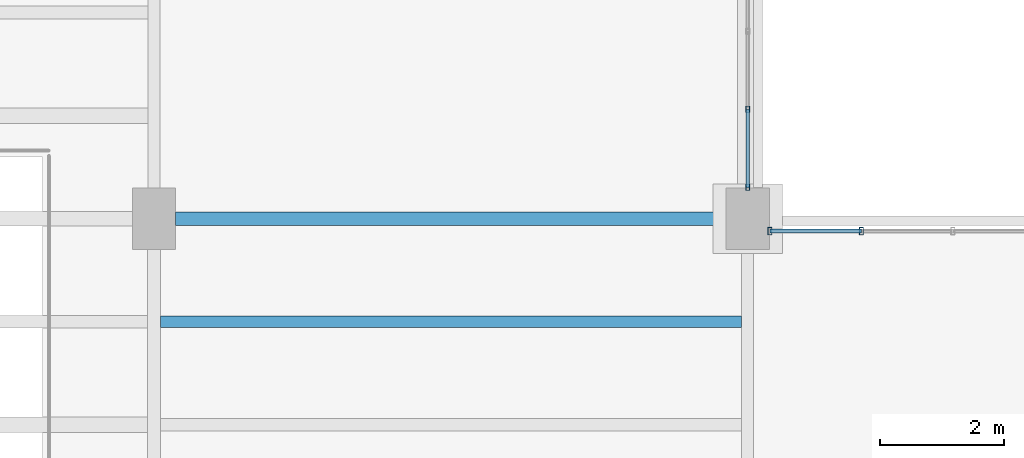
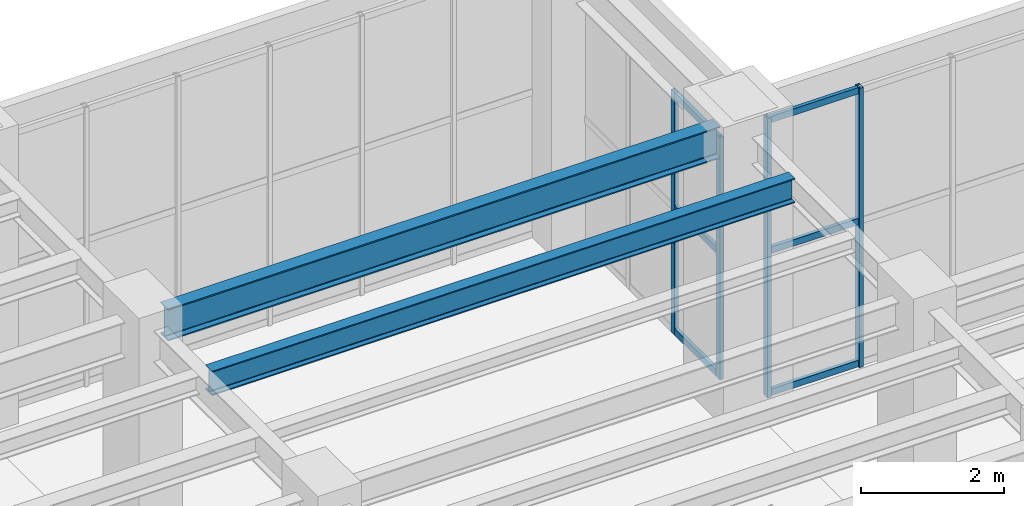
# One storey, part 119 of 174: 10 members, 2 beams, 2 elements without a shape of their own.
"""IFC4 building model written with IfcOpenShell, lengths in metres."""

from ifc_helpers import new_model, si_unit, direction, frame, origin, origin_2d, place, context, subcontext, project, spatial, hollow_rectangle, i_section, extrude, material, material_profile, profile_set, type_object, element, aggregate, save


model = new_model("IFC4")

# Units and contexts
model_context = context("Model", 3, precision=1e-05, world=origin(), true_north=direction((0.0, 1.0)))
body_context = subcontext(model_context, "Body", "Model", "MODEL_VIEW")
ifc_project = project(units=[si_unit("LENGTHUNIT", "METRE"), si_unit("AREAUNIT", "SQUARE_METRE"), si_unit("VOLUMEUNIT", "CUBIC_METRE"), si_unit("PLANEANGLEUNIT", "RADIAN"), si_unit("MASSUNIT", "GRAM", prefix="KILO")], contexts=[model_context])

# Site, building, storey
site_placement = place(None, origin())
site = spatial("IfcSite", under=ifc_project, at=site_placement, CompositionType="ELEMENT")
building_placement = place(site_placement, origin())
building = spatial("IfcBuilding", under=site, at=building_placement, Name="Mavantir Sound Aquarium", CompositionType="ELEMENT")
storey_placement = place(building_placement, frame((0.0, 0.0, 5.39990234375)))
storey = spatial("IfcBuildingStorey", under=building, at=storey_placement, Name="L01", CompositionType="ELEMENT", Elevation=5.39990234375)

# Beams
ifc_material_1 = material(Name="Structural Steel ASTM A992 Gr50", Category="steel")
ifc_material_profile_1 = material_profile(ifc_material_1, i_section(OverallWidth=0.180908203125, OverallDepth=0.4169921875, WebThickness=0.010986328125, FlangeThickness=0.018310546875, FilletRadius=0.014892578125, at=origin_2d()), Name="W410X85")
ifc_profile_set_1 = profile_set([ifc_material_profile_1], Name="Structural Steel ASTM A992 Gr50")
beam_type_1 = type_object("IfcBeamType", Name="BM-W410X85-I", PredefinedType="JOIST", material=ifc_profile_set_1)
beam_1_placement = place(storey_placement, frame((156.10595703125, 64.13330078125, 4.59765625), z_axis=(1.0, 0.0, 0.0), x_axis=(0.0, 1.0, 0.0)))
element("IfcBeam", 1, at=beam_1_placement, inside=storey, type_object=beam_type_1, Name="L01 secondary floor joist SJ-41 781", PredefinedType="JOIST", context=body_context, shape_type="SweptSolid", body=[
    extrude(i_section(OverallWidth=0.180908203125, OverallDepth=0.4169921875, WebThickness=0.010986328125, FlangeThickness=0.018310546875, FilletRadius=0.014892578125, at=origin_2d()), origin(), (0.0, 0.0, 1.0), 9.39697265625),
])
ifc_material_profile_2 = material_profile(ifc_material_1, i_section(OverallWidth=0.2119140625, OverallDepth=0.5439453125, WebThickness=0.01318359375, FlangeThickness=0.021240234375, FilletRadius=0.01806640625, at=origin_2d()), Name="W530X123")
ifc_profile_set_2 = profile_set([ifc_material_profile_2], Name="Structural Steel ASTM A992 Gr50")
beam_type_2 = type_object("IfcBeamType", Name="BM-W530X123-I", PredefinedType="BEAM", material=ifc_profile_set_2)
beam_2_placement = place(storey_placement, frame((156.35009765625, 65.800048828125, 4.504150390625), z_axis=(1.0, 0.0, 0.0), x_axis=(0.0, 1.0, 0.0)))
element("IfcBeam", 2, at=beam_2_placement, inside=storey, type_object=beam_type_2, Name="L01 primary beam SB-53 1270", PredefinedType="BEAM", context=body_context, shape_type="SweptSolid", body=[
    extrude(i_section(OverallWidth=0.2119140625, OverallDepth=0.5439453125, WebThickness=0.01318359375, FlangeThickness=0.021240234375, FilletRadius=0.01806640625, at=origin_2d()), origin(), (0.0, 0.0, 1.0), 8.89990234375),
])

# Curtain wall, members
ifc_material_2 = material(Name="Anodised Marine Aluminium and Low-E Glass", Category="aluminium")
curtain_wall_type_1 = type_object("IfcCurtainWallType", Name="CW-T13", PredefinedType="USERDEFINED", material=ifc_material_2)
curtain_wall_1_placement = place(storey_placement, origin())
curtain_wall_1 = element("IfcCurtainWall", 3, at=curtain_wall_1_placement, inside=storey, type_object=curtain_wall_type_1, Name="L01 unitised curtain wall CW-13 109", ObjectType="UNITISED GLAZING", PredefinedType="USERDEFINED")
ifc_material_3 = material(Name="Anodised Marine Aluminium 6063-T6", Category="aluminium")
ifc_material_profile_3 = material_profile(ifc_material_3, hollow_rectangle(XDim=0.06005859375, YDim=0.10009765625, WallThickness=0.00390625, at=origin_2d()), Name="ALU-MULLION-100X60")
ifc_profile_set_3 = profile_set([ifc_material_profile_3], Name="Anodised Marine Aluminium 6063-T6")
member_type_1 = type_object("IfcMemberType", Name="CW-MUL-100", PredefinedType="MULLION", material=ifc_profile_set_3)
member_1_placement = place(storey_placement, frame((165.60009765625, 66.30810546875, 0.0), z_axis=(0.0, 0.0, 1.0), x_axis=(1.0, 0.0, 0.0)))
member_1 = element("IfcMember", 4, at=member_1_placement, type_object=member_type_1, Name="CW-L01-109 vertical mullion 1", PredefinedType="MULLION", context=body_context, shape_type="SweptSolid", body=[
    extrude(hollow_rectangle(XDim=0.06005859375, YDim=0.10009765625, WallThickness=0.00390625, at=origin_2d()), origin(), (0.0, 0.0, 1.0), 4.135009765625),
])
member_2_placement = place(storey_placement, frame((165.60009765625, 67.5693359375, 0.0), z_axis=(0.0, 0.0, 1.0), x_axis=(1.0, 0.0, 0.0)))
member_2 = element("IfcMember", 5, at=member_2_placement, type_object=member_type_1, Name="CW-L01-109 vertical mullion 2", PredefinedType="MULLION", context=body_context, shape_type="SweptSolid", body=[
    extrude(hollow_rectangle(XDim=0.06005859375, YDim=0.10009765625, WallThickness=0.00390625, at=origin_2d()), origin(), (0.0, 0.0, 1.0), 4.135009765625),
])

curtain_wall_type_2 = type_object("IfcCurtainWallType", Name="CW-T12", PredefinedType="USERDEFINED", material=ifc_material_2)
curtain_wall_2_placement = place(storey_placement, origin())
curtain_wall_2 = element("IfcCurtainWall", 6, at=curtain_wall_2_placement, inside=storey, type_object=curtain_wall_type_2, Name="L01 unitised curtain wall CW-12 108", ObjectType="UNITISED GLAZING", PredefinedType="USERDEFINED")
ifc_material_profile_4 = material_profile(ifc_material_3, hollow_rectangle(XDim=0.06494140625, YDim=0.1201171875, WallThickness=0.00390625, at=origin_2d()), Name="ALU-MULLION-120X65")
ifc_profile_set_4 = profile_set([ifc_material_profile_4], Name="Anodised Marine Aluminium 6063-T6")
member_type_2 = type_object("IfcMemberType", Name="CW-MUL-120", PredefinedType="MULLION", material=ifc_profile_set_4)
member_3_placement = place(storey_placement, frame((167.438720703125, 65.60009765625, 0.0), z_axis=(0.0, 0.0, 1.0), x_axis=(1.0, 0.0, 0.0)))
member_3 = element("IfcMember", 7, at=member_3_placement, type_object=member_type_2, Name="CW-L01-108 vertical mullion 6", PredefinedType="MULLION", context=body_context, shape_type="SweptSolid", body=[
    extrude(hollow_rectangle(XDim=0.06494140625, YDim=0.1201171875, WallThickness=0.00390625, at=origin_2d()), origin(), (0.0, 0.0, 1.0), 4.760009765625),
])
member_4_placement = place(storey_placement, frame((165.9580078125, 65.60009765625, 0.0), z_axis=(0.0, 0.0, 1.0), x_axis=(1.0, 0.0, 0.0)))
member_4 = element("IfcMember", 8, at=member_4_placement, type_object=member_type_2, Name="CW-L01-108 vertical mullion 7", PredefinedType="MULLION", context=body_context, shape_type="SweptSolid", body=[
    extrude(hollow_rectangle(XDim=0.06494140625, YDim=0.1201171875, WallThickness=0.00390625, at=origin_2d()), origin(), (0.0, 0.0, 1.0), 4.760009765625),
])
ifc_material_profile_5 = material_profile(ifc_material_3, hollow_rectangle(XDim=0.06005859375, YDim=0.110107421875, WallThickness=0.00390625, at=origin_2d()), Name="ALU-TRANSOM-110X60")
ifc_profile_set_5 = profile_set([ifc_material_profile_5], Name="Anodised Marine Aluminium 6063-T6")
member_type_3 = type_object("IfcMemberType", Name="CW-TRN-110", PredefinedType="USERDEFINED", material=ifc_profile_set_5)
member_5_placement = place(storey_placement, frame((167.438720703125, 65.60009765625, 0.05517578125), z_axis=(-1.0, 0.0, 0.0), x_axis=(0.0, -1.0, 0.0)))
member_5 = element("IfcMember", 9, at=member_5_placement, type_object=member_type_3, Name="CW-L01-108 transom 6.1", ObjectType="TRANSOM", PredefinedType="USERDEFINED", context=body_context, shape_type="SweptSolid", body=[
    extrude(hollow_rectangle(XDim=0.06005859375, YDim=0.110107421875, WallThickness=0.00390625, at=origin_2d()), origin(), (0.0, 0.0, 1.0), 1.480712890625),
])
member_6_placement = place(storey_placement, frame((167.438720703125, 65.60009765625, 2.475341796875), z_axis=(-1.0, 0.0, 0.0), x_axis=(0.0, -1.0, 0.0)))
member_6 = element("IfcMember", 10, at=member_6_placement, type_object=member_type_3, Name="CW-L01-108 transom 6.2", ObjectType="TRANSOM", PredefinedType="USERDEFINED", context=body_context, shape_type="SweptSolid", body=[
    extrude(hollow_rectangle(XDim=0.06005859375, YDim=0.110107421875, WallThickness=0.00390625, at=origin_2d()), origin(), (0.0, 0.0, 1.0), 1.480712890625),
])
member_7_placement = place(storey_placement, frame((167.438720703125, 65.60009765625, 4.705078125), z_axis=(-1.0, 0.0, 0.0), x_axis=(0.0, -1.0, 0.0)))
member_7 = element("IfcMember", 11, at=member_7_placement, type_object=member_type_3, Name="CW-L01-108 transom 6.3", ObjectType="TRANSOM", PredefinedType="USERDEFINED", context=body_context, shape_type="SweptSolid", body=[
    extrude(hollow_rectangle(XDim=0.06005859375, YDim=0.110107421875, WallThickness=0.00390625, at=origin_2d()), origin(), (0.0, 0.0, 1.0), 1.480712890625),
])
aggregate(curtain_wall_2, [member_3, member_4, member_5, member_6, member_7])

# Member
member_8_placement = place(storey_placement, frame((165.60009765625, 66.30810546875, 0.05517578125), z_axis=(0.0, 1.0, 0.0), x_axis=(-1.0, 0.0, 0.0)))
member_8 = element("IfcMember", 12, at=member_8_placement, type_object=member_type_3, Name="CW-L01-109 transom 1.1", ObjectType="TRANSOM", PredefinedType="USERDEFINED", context=body_context, shape_type="SweptSolid", body=[
    extrude(hollow_rectangle(XDim=0.06005859375, YDim=0.110107421875, WallThickness=0.00390625, at=origin_2d()), origin(), (0.0, 0.0, 1.0), 1.26123046875),
])

member_9_placement = place(storey_placement, frame((165.60009765625, 66.30810546875, 2.150390625), z_axis=(0.0, 1.0, 0.0), x_axis=(-1.0, 0.0, 0.0)))
member_9 = element("IfcMember", 13, at=member_9_placement, type_object=member_type_3, Name="CW-L01-109 transom 1.2", ObjectType="TRANSOM", PredefinedType="USERDEFINED", context=body_context, shape_type="SweptSolid", body=[
    extrude(hollow_rectangle(XDim=0.06005859375, YDim=0.110107421875, WallThickness=0.00390625, at=origin_2d()), origin(), (0.0, 0.0, 1.0), 1.26123046875),
])

member_10_placement = place(storey_placement, frame((165.60009765625, 66.30810546875, 4.080078125), z_axis=(0.0, 1.0, 0.0), x_axis=(-1.0, 0.0, 0.0)))
member_10 = element("IfcMember", 14, at=member_10_placement, type_object=member_type_3, Name="CW-L01-109 transom 1.3", ObjectType="TRANSOM", PredefinedType="USERDEFINED", context=body_context, shape_type="SweptSolid", body=[
    extrude(hollow_rectangle(XDim=0.06005859375, YDim=0.110107421875, WallThickness=0.00390625, at=origin_2d()), origin(), (0.0, 0.0, 1.0), 1.26123046875),
])

aggregate(curtain_wall_1, [member_1, member_2, member_8, member_9, member_10])

save(model, "model.ifc")
